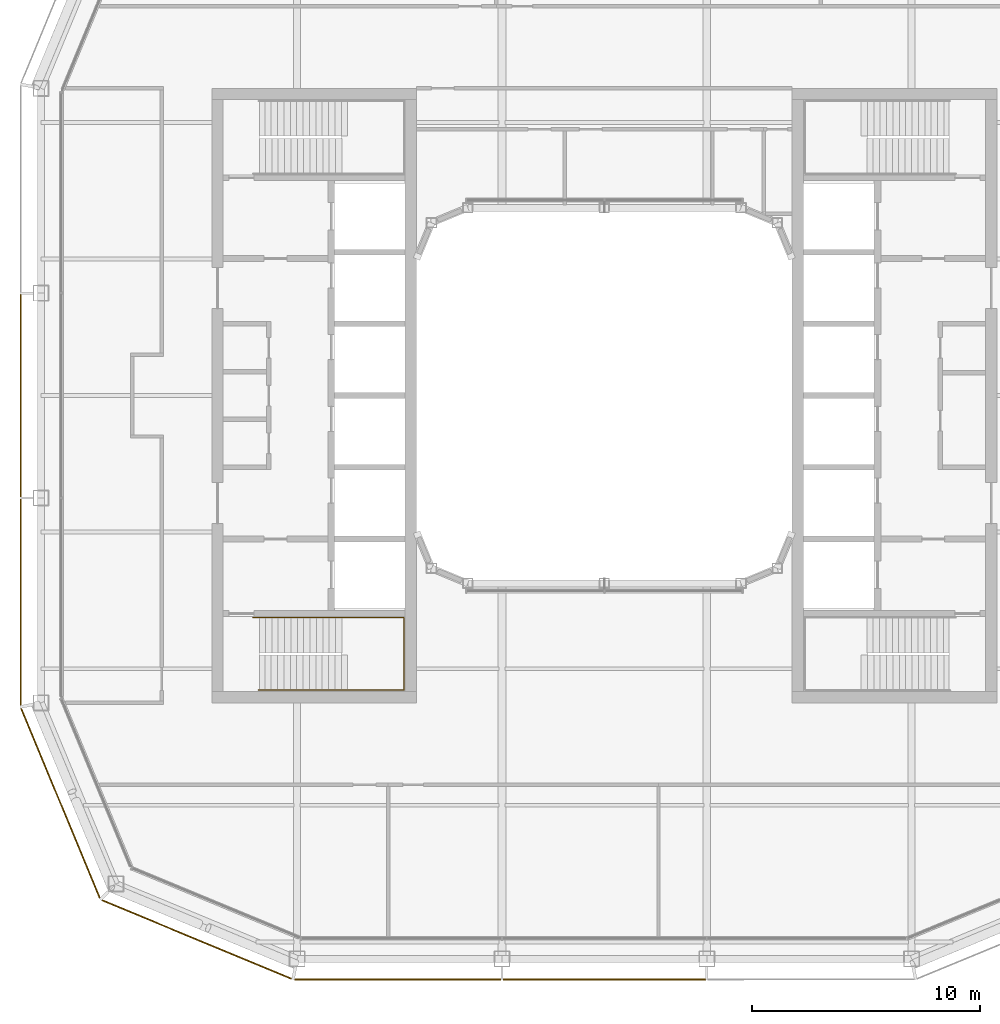
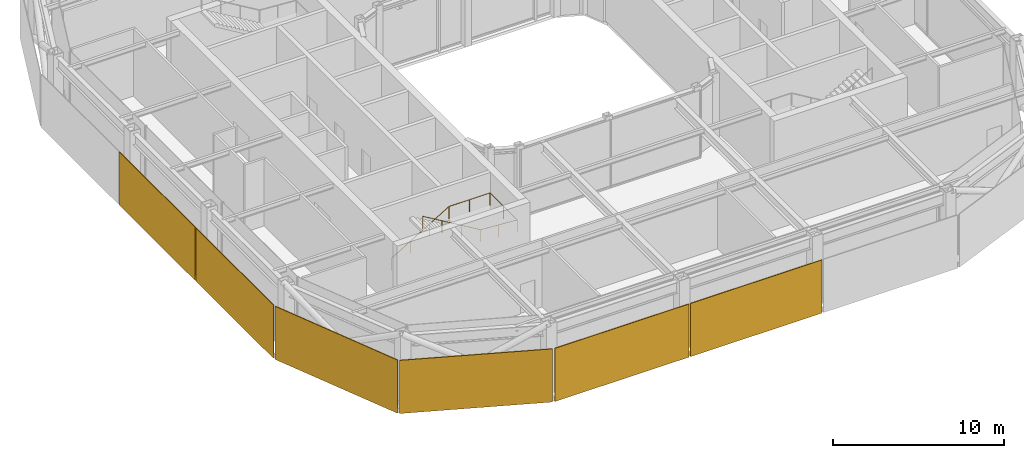
# One storey, part 14 of 17: 6 coverings, 1 railing.
"""IFC4 building model written with IfcOpenShell, lengths in metres."""

import ifcopenshell
import ifcopenshell.guid

model = None  # the IFC model being written
_history = None  # IfcOwnerHistory: only IFC2X3 demands one
_inside = {}  # id of a spatial element -> (the spatial element, [elements in it])
_under = {}  # id of a project, library or spatial element -> (it, [spatial elements below it])
_declared = {}  # id of a project -> (the project, [libraries it declares])
_typed = {}  # id of a type object -> (the type object, [elements of that type])
_made_of = {}  # id of a material, layer set ... -> (it, [elements and type objects made of it])


def new_model(schema):
    """Start an empty IFC model of exactly this schema.

    Asked for "IFC4X3", IfcOpenShell would pick the latest addendum, in which some entities
    have other attributes; the version numbers below select the first issue.
    IFC2X3 requires an IfcOwnerHistory on every rooted entity: one is made here for all.
    """
    global model, _history
    if schema == "IFC4X3":
        model = ifcopenshell.file(schema_version=(4, 3, 0, 0))
    else:
        model = ifcopenshell.file(schema=schema)
    _inside.clear()
    _under.clear()
    _declared.clear()
    _typed.clear()
    _made_of.clear()
    _history = None
    if model.schema == "IFC2X3":
        org = make("IfcOrganization", Name="unknown")
        user = make(
            "IfcPersonAndOrganization",
            ThePerson=make("IfcPerson", FamilyName="unknown"),
            TheOrganization=org,
        )
        app = make(
            "IfcApplication",
            ApplicationDeveloper=org,
            Version="unknown",
            ApplicationFullName="unknown",
            ApplicationIdentifier="unknown",
        )
        _history = make(
            "IfcOwnerHistory",
            OwningUser=user,
            OwningApplication=app,
            ChangeAction="ADDED",
            CreationDate=0,
        )
    return model


def make(cls, **values):
    """One entity of the class cls with the attributes given. An attribute that is None is left unset."""
    return model.create_entity(
        cls, **{name: value for name, value in values.items() if value is not None}
    )


def rooted(cls, **values):
    """An entity with a GlobalId (a new one), such as an element, a storey or a relation."""
    return make(cls, GlobalId=ifcopenshell.guid.new(), OwnerHistory=_history, **values)


def si_unit(unit_type, name, prefix=None):
    """IfcSIUnit, for example si_unit("LENGTHUNIT", "METRE", prefix="MILLI")."""
    return make("IfcSIUnit", UnitType=unit_type, Prefix=prefix, Name=name)


def assignment(units):
    """IfcUnitAssignment: the units of a project."""
    return None if units is None else make("IfcUnitAssignment", Units=units)


def point(xyz):
    """IfcCartesianPoint."""
    return None if xyz is None else make("IfcCartesianPoint", Coordinates=xyz)


def direction(xyz):
    """IfcDirection."""
    return None if xyz is None else make("IfcDirection", DirectionRatios=xyz)


def frame(location, z_axis=None, x_axis=None):
    """IfcAxis2Placement3D, a coordinate frame: its origin and axes. An axis left out is left unset."""
    return make(
        "IfcAxis2Placement3D",
        Location=point(location),
        Axis=direction(z_axis),
        RefDirection=direction(x_axis),
    )


def frame_2d(location, x_axis=None):
    """IfcAxis2Placement2D, a coordinate frame in the plane: its origin and x axis."""
    return make(
        "IfcAxis2Placement2D", Location=point(location), RefDirection=direction(x_axis)
    )


def origin():
    """The frame at (0, 0, 0) with its axes left unset."""
    return frame((0.0, 0.0, 0.0))


def origin_2d():
    """The frame at (0, 0) in the plane with its x axis left unset."""
    return frame_2d((0.0, 0.0))


def place(relative_to, where):
    """IfcLocalPlacement: puts the frame where relative to a parent placement (None: the world)."""
    return make(
        "IfcLocalPlacement", PlacementRelTo=relative_to, RelativePlacement=where
    )


def context(
    kind, dimensions, precision=None, world=None, true_north=None, identifier=None
):
    """IfcGeometricRepresentationContext, for example the 3D "Model" context."""
    return make(
        "IfcGeometricRepresentationContext",
        ContextIdentifier=identifier,
        ContextType=kind,
        CoordinateSpaceDimension=dimensions,
        Precision=precision,
        WorldCoordinateSystem=world,
        TrueNorth=true_north,
    )


def subcontext(parent, identifier, kind, view, scale=None):
    """IfcGeometricRepresentationSubContext, for example "Body" below "Model"."""
    return make(
        "IfcGeometricRepresentationSubContext",
        ContextIdentifier=identifier,
        ContextType=kind,
        ParentContext=parent,
        TargetScale=scale,
        TargetView=view,
    )


def project(units=None, contexts=None):
    """IfcProject with its units and contexts."""
    return rooted(
        "IfcProject",
        Name="project",
        RepresentationContexts=contexts,
        UnitsInContext=assignment(units),
    )


def spatial(cls, under=None, at=None, **own):
    """A site, building, storey or space (cls), placed at a placement, below another one or the project."""
    s = rooted(cls, ObjectPlacement=at, **own)
    if under is not None:
        _under.setdefault(under.id(), (under, []))[1].append(s)
    return s


def profile(cls, at=None, kind="AREA", **sizes):
    """A parametric profile (cls). Its sizes go by their IFC names, for example OverallWidth=200.0."""
    return make(cls, ProfileType=kind, Position=at, **sizes)


def rectangle(**sizes):
    """IfcRectangleProfileDef."""
    return profile("IfcRectangleProfileDef", **sizes)


def circle(**sizes):
    """IfcCircleProfileDef."""
    return profile("IfcCircleProfileDef", **sizes)


def extrude(swept, where, along, depth):
    """IfcExtrudedAreaSolid: the profile swept, set in the frame where, extruded along a direction by depth."""
    return make(
        "IfcExtrudedAreaSolid",
        SweptArea=swept,
        Position=where,
        ExtrudedDirection=direction(along),
        Depth=depth,
    )


def shape(context_of_items, identifier, shape_type, items):
    """IfcShapeRepresentation: the items that make up one representation, for example the "Body"."""
    return make(
        "IfcShapeRepresentation",
        ContextOfItems=context_of_items,
        RepresentationIdentifier=identifier,
        RepresentationType=shape_type,
        Items=items,
    )


def material(Name=None, Category=None):
    """IfcMaterial."""
    return make("IfcMaterial", Name=Name, Category=Category)


def layer(
    of_material, thickness, ventilated=None, Name=None, Category=None, Priority=None
):
    """IfcMaterialLayer: one layer of a wall or slab, of a material (None: an air gap)."""
    return make(
        "IfcMaterialLayer",
        Material=of_material,
        LayerThickness=thickness,
        IsVentilated=ventilated,
        Name=Name,
        Category=Category,
        Priority=Priority,
    )


def layer_set(layers, Name=None):
    """IfcMaterialLayerSet."""
    return make("IfcMaterialLayerSet", MaterialLayers=layers, LayerSetName=Name)


def made_of(thing, what):
    """Note that an element or type object is made of a material, layer set ...; save() writes the relation."""
    if what is not None:
        _made_of.setdefault(what.id(), (what, []))[1].append(thing)
    return thing


def type_object(cls, material=None, **own):
    """A type object (cls), such as IfcWallType, which elements share."""
    return made_of(rooted(cls, **own), material)


def element(
    cls,
    number,
    at=None,
    inside=None,
    cuts=None,
    type_object=None,
    material=None,
    context=None,
    identifier="Body",
    shape_type=None,
    held_by="IfcProductDefinitionShape",
    body=None,
    shapes=None,
    **own,
):
    """One element of the class cls, such as IfcWall. Its Tag is "e" and its number.

    at: its placement. inside: the storey or other place that contains it. cuts: it is an
    opening in that element (IfcRelVoidsElement). A single representation is given by context,
    identifier, shape_type and body (its items); several are given by shapes. held_by: the class
    of the entity that holds the representations. save() writes the other relations.
    """
    e = rooted(cls, Tag="e%d" % number, ObjectPlacement=at, **own)
    if body is not None:
        shapes = [shape(context, identifier, shape_type, body)]
    if shapes is not None:
        e.Representation = make(held_by, Representations=shapes)
    if inside is not None:
        _inside.setdefault(inside.id(), (inside, []))[1].append(e)
    if cuts is not None:
        rooted(
            "IfcRelVoidsElement", RelatingBuildingElement=cuts, RelatedOpeningElement=e
        )
    if type_object is not None:
        _typed.setdefault(type_object.id(), (type_object, []))[1].append(e)
    return made_of(e, material)


def aggregate(whole, parts):
    """IfcRelAggregates: a whole, such as a stair, and the parts it consists of."""
    return rooted("IfcRelAggregates", RelatingObject=whole, RelatedObjects=parts)


def save(model, path):
    """Write the relations noted so far, then the file.

    IfcRelAggregates (storeys below a building ...), IfcRelContainedInSpatialStructure (elements
    in a storey), IfcRelDefinesByType, IfcRelAssociatesMaterial and IfcRelDeclares: one each for
    every whole, place, type object, material and project.
    """
    for whole, parts in _under.values():
        aggregate(whole, parts)
    for where, things in _inside.values():
        rooted(
            "IfcRelContainedInSpatialStructure",
            RelatedElements=things,
            RelatingStructure=where,
        )
    for kind, things in _typed.values():
        rooted("IfcRelDefinesByType", RelatedObjects=things, RelatingType=kind)
    for what, things in _made_of.values():
        rooted("IfcRelAssociatesMaterial", RelatedObjects=things, RelatingMaterial=what)
    for by, libraries in _declared.values():
        rooted("IfcRelDeclares", RelatingContext=by, RelatedDefinitions=libraries)
    model.write(path)


model = new_model("IFC4")

# Units and contexts
model_context = context("Model", 3, precision=1e-05, world=origin(), true_north=direction((0.0, 1.0)))
body_context = subcontext(model_context, "Body", "Model", "MODEL_VIEW")
ifc_project = project(units=[si_unit("LENGTHUNIT", "METRE"), si_unit("AREAUNIT", "SQUARE_METRE"), si_unit("VOLUMEUNIT", "CUBIC_METRE"), si_unit("PLANEANGLEUNIT", "RADIAN"), si_unit("MASSUNIT", "GRAM", prefix="KILO")], contexts=[model_context])

# Site, building, storey
site_placement = place(None, origin())
site = spatial("IfcSite", under=ifc_project, at=site_placement, CompositionType="ELEMENT")
building_placement = place(site_placement, origin())
building = spatial("IfcBuilding", under=site, at=building_placement, Name="Siwar Civic Tower", CompositionType="ELEMENT")
storey_placement = place(building_placement, frame((0.0, 0.0, 348.199951171875)))
storey = spatial("IfcBuildingStorey", under=building, at=storey_placement, Name="L75", CompositionType="ELEMENT", Elevation=348.199951171875)

# Railing
ifc_material_1 = material(Name="Stainless steel", Category="steel")
railing_type = type_object("IfcRailingType", Name="CORE-STAIR-HANDRAIL", PredefinedType="HANDRAIL", material=ifc_material_1)
railing_placement = place(storey_placement, frame((-15.449951171875, -9.758056640625, 0.166748046875)))
element("IfcRailing", 1, at=railing_placement, inside=storey, type_object=railing_type, Name="Stair handrail ST2", PredefinedType="HANDRAIL", context=body_context, shape_type="SweptSolid", body=[
    extrude(circle(Radius=0.02001953125, at=origin_2d()), frame((0.0, 0.0, 0.8798828125), z_axis=(0.856384976194, 0.0, 0.516337847296), x_axis=(0.0, 1.0, 0.0)), (0.0, 0.0, 1.0), 4.518798828125),
    extrude(circle(Radius=0.02001953125, at=origin_2d()), frame((3.869873046875, 0.0, 3.213134765625), z_axis=(1.0, 0.0, 0.0), x_axis=(0.0, 1.0, 0.0)), (0.0, 0.0, 1.0), 2.77197265625),
    extrude(circle(Radius=0.02001953125, at=origin_2d()), frame((6.641845703125, 0.0, 3.213134765625), z_axis=(0.0, -1.0, 0.0), x_axis=(1.0, 0.0, 0.0)), (0.0, 0.0, 1.0), 3.183837890625),
    extrude(circle(Radius=0.02001953125, at=origin_2d()), frame((6.641845703125, -3.183837890625, 3.213134765625), z_axis=(-0.997732526271, 0.0, 0.067303833624), x_axis=(0.0, -1.0, 0.0)), (0.0, 0.0, 1.0), 2.4775390625),
    extrude(circle(Radius=0.02001953125, at=origin_2d()), frame((4.169921875, -3.183837890625, 3.3798828125), z_axis=(-0.859296244711, 0.0, 0.511478214419), x_axis=(0.0, -1.0, 0.0)), (0.0, 0.0, 1.0), 4.561767578125),
    extrude(circle(Radius=0.02001953125, at=origin_2d()), origin(), (0.0, 0.0, 1.0), 0.85986328125),
    extrude(circle(Radius=0.02001953125, at=origin_2d()), frame((1.2900390625, 0.0, 0.77783203125)), (0.0, 0.0, 1.0), 0.85986328125),
    extrude(circle(Radius=0.02001953125, at=origin_2d()), frame((2.579833984375, 0.0, 1.555419921875)), (0.0, 0.0, 1.0), 0.85986328125),
    extrude(circle(Radius=0.02001953125, at=origin_2d()), frame((3.869873046875, 0.0, 2.333251953125)), (0.0, 0.0, 1.0), 0.85986328125),
    extrude(circle(Radius=0.02001953125, at=origin_2d()), frame((5.255859375, 0.0, 2.333251953125)), (0.0, 0.0, 1.0), 0.85986328125),
    extrude(circle(Radius=0.02001953125, at=origin_2d()), frame((6.641845703125, 0.0, 2.333251953125)), (0.0, 0.0, 1.0), 0.85986328125),
    extrude(circle(Radius=0.02001953125, at=origin_2d()), frame((6.641845703125, -1.591796875, 2.333251953125)), (0.0, 0.0, 1.0), 0.85986328125),
    extrude(circle(Radius=0.02001953125, at=origin_2d()), frame((6.641845703125, -3.183837890625, 2.333251953125)), (0.0, 0.0, 1.0), 0.85986328125),
    extrude(circle(Radius=0.02001953125, at=origin_2d()), frame((5.40576171875, -3.183837890625, 2.41650390625)), (0.0, 0.0, 1.0), 0.85986328125),
    extrude(circle(Radius=0.02001953125, at=origin_2d()), frame((4.169921875, -3.183837890625, 2.5)), (0.0, 0.0, 1.0), 0.85986328125),
    extrude(circle(Radius=0.02001953125, at=origin_2d()), frame((2.86328125, -3.183837890625, 3.27783203125)), (0.0, 0.0, 1.0), 0.85986328125),
    extrude(circle(Radius=0.02001953125, at=origin_2d()), frame((1.556640625, -3.183837890625, 4.055419921875)), (0.0, 0.0, 1.0), 0.85986328125),
    extrude(circle(Radius=0.02001953125, at=origin_2d()), frame((0.25, -3.183837890625, 4.833251953125)), (0.0, 0.0, 1.0), 0.85986328125),
])

# Coverings
ifc_material_2 = material(Name="Perforated aluminium cassette, pale metal", Category="aluminium")
ifc_layer_1 = layer(ifc_material_2, 0.050048828125)
ifc_layer_set_1 = layer_set([ifc_layer_1], Name="Perforated aluminium cassette, pale metal")
covering_type_1 = type_object("IfcCoveringType", Name="ENV-OUTER SKIN OS-3", PredefinedType="CLADDING", material=ifc_layer_set_1)
covering_1_placement = place(storey_placement, frame((-25.64990234375, 0.0, -0.2001953125), z_axis=(0.0, 0.0, 1.0), x_axis=(0.0, -1.0, 0.0)))
element("IfcCovering", 2, at=covering_1_placement, inside=storey, type_object=covering_type_1, Name="OUTER SKIN OS-3 W 2", PredefinedType="CLADDING", context=body_context, shape_type="SweptSolid", body=[
    extrude(rectangle(XDim=8.89990234375, YDim=0.050048828125, at=origin_2d()), origin(), (0.0, 0.0, 1.0), 3.800048828125),
])
covering_2_placement = place(storey_placement, frame((-25.64990234375, -9.07958984375, -0.2001953125), z_axis=(0.0, 0.0, 1.0), x_axis=(0.0, -1.0, 0.0)))
element("IfcCovering", 3, at=covering_2_placement, inside=storey, type_object=covering_type_1, Name="OUTER SKIN OS-3 W 3", PredefinedType="CLADDING", context=body_context, shape_type="SweptSolid", body=[
    extrude(rectangle(XDim=9.05908203125, YDim=0.050048828125, at=origin_2d()), origin(), (0.0, 0.0, 1.0), 3.800048828125),
])
ifc_material_3 = material(Name="Perforated aluminium cassette, pale metal", Category="aluminium")
ifc_layer_2 = layer(ifc_material_3, 0.054931640625)
ifc_layer_set_2 = layer_set([ifc_layer_2], Name="Perforated aluminium cassette, pale metal")
covering_type_2 = type_object("IfcCoveringType", Name="ENV-OUTER SKIN OS-4", PredefinedType="CLADDING", material=ifc_layer_set_2)
covering_3_placement = place(storey_placement, frame((-9.07958984375, -25.64990234375, -0.2001953125), z_axis=(0.0, 0.0, 1.0), x_axis=(1.0, 0.0, 0.0)))
element("IfcCovering", 4, at=covering_3_placement, inside=storey, type_object=covering_type_2, Name="OUTER SKIN OS-4 S 1", PredefinedType="CLADDING", context=body_context, shape_type="SweptSolid", body=[
    extrude(rectangle(XDim=9.05908203125, YDim=0.054931640625, at=origin_2d()), origin(), (0.0, 0.0, 1.0), 3.800048828125),
])
covering_4_placement = place(storey_placement, frame((0.0, -25.64990234375, -0.2001953125), z_axis=(0.0, 0.0, 1.0), x_axis=(1.0, 0.0, 0.0)))
element("IfcCovering", 5, at=covering_4_placement, inside=storey, type_object=covering_type_2, Name="OUTER SKIN OS-4 S 2", PredefinedType="CLADDING", context=body_context, shape_type="SweptSolid", body=[
    extrude(rectangle(XDim=8.89990234375, YDim=0.054931640625, at=origin_2d()), origin(), (0.0, 0.0, 1.0), 3.800048828125),
])
for number, where, z_axis, x_axis, name in (
    (6, (-23.89697265625, -17.911376953125, -0.2001953125), (0.0, 0.0, 1.0), (0.382683432365, -0.923879532511, 0.0), "OUTER SKIN OS-4 SW1 1"),
    (7, (-17.911376953125, -23.89697265625, -0.2001953125), (0.0, 0.0, 1.0), (0.923879532511, -0.382683432365, 0.0), "OUTER SKIN OS-4 SW2 1"),
):
    element("IfcCovering", number, at=place(storey_placement, frame(where, z_axis=z_axis, x_axis=x_axis)), inside=storey, type_object=covering_type_2, Name=name, PredefinedType="CLADDING", context=body_context, shape_type="SweptSolid", body=[
        extrude(rectangle(XDim=9.022216796875, YDim=0.054931640625, at=origin_2d()), origin(), (0.0, 0.0, 1.0), 3.800048828125),
    ])

save(model, "model.ifc")
